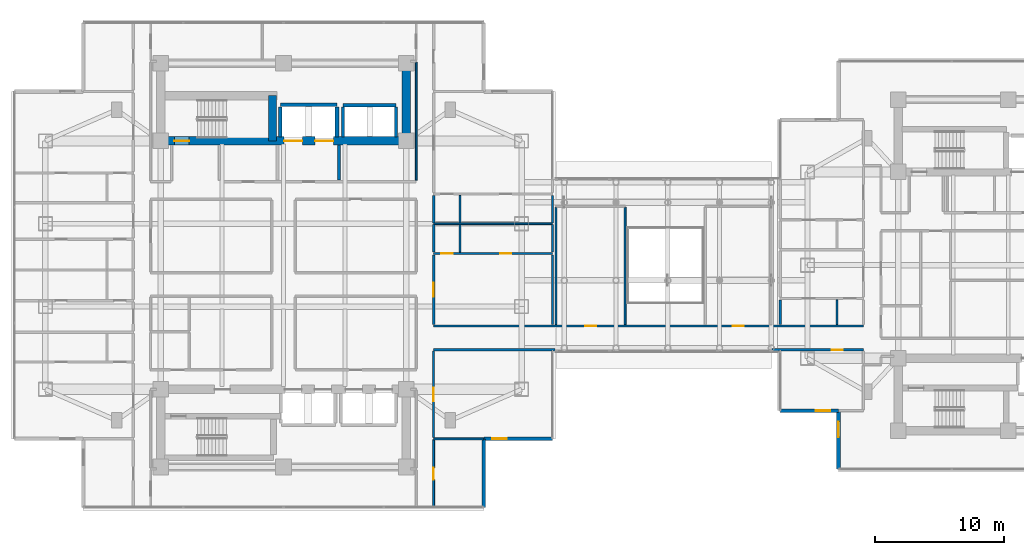
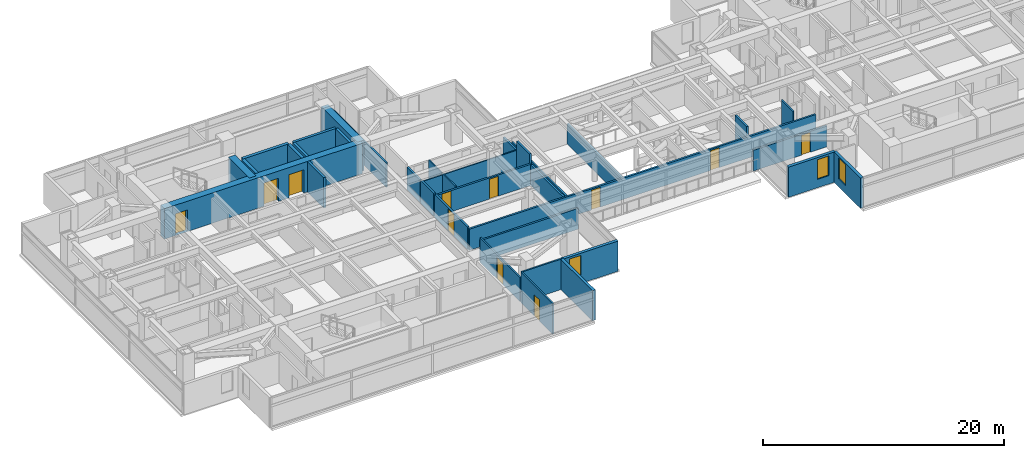
# One storey, part 17 of 27: 35 walls, 11 doors, 3 windows, 14 openings.
"""IFC4 building model written with IfcOpenShell, lengths in metres."""

from ifc_helpers import new_model, si_unit, direction, frame, frame_2d, origin, place, context, subcontext, project, spatial, rectangle, extrude, material, layer, layer_set, type_object, element, fill, save


model = new_model("IFC4")

# Units and contexts
model_context = context("Model", 3, precision=1e-05, world=origin(), true_north=direction((0.0, 1.0)))
body_context = subcontext(model_context, "Body", "Model", "MODEL_VIEW")
ifc_project = project(units=[si_unit("LENGTHUNIT", "METRE"), si_unit("AREAUNIT", "SQUARE_METRE"), si_unit("VOLUMEUNIT", "CUBIC_METRE"), si_unit("PLANEANGLEUNIT", "RADIAN"), si_unit("MASSUNIT", "GRAM", prefix="KILO")], contexts=[model_context])

# Site, building, storey
site_placement = place(None, origin())
site = spatial("IfcSite", under=ifc_project, at=site_placement, CompositionType="ELEMENT")
building_placement = place(site_placement, origin())
building = spatial("IfcBuilding", under=site, at=building_placement, Name="Mirazonda Arch Towers", CompositionType="ELEMENT")
storey_placement = place(building_placement, frame((0.0, 0.0, 95.0)))
storey = spatial("IfcBuildingStorey", under=building, at=storey_placement, Name="L26", CompositionType="ELEMENT", Elevation=95.0)

# Wall
ifc_material_1 = material(Name="Concrete C60/75", Category="concrete")
ifc_layer_1 = layer(ifc_material_1, 0.64990234375, Name="WALL-CORE-650")
ifc_layer_set_1 = layer_set([ifc_layer_1], Name="Concrete C60/75")
wall_type_1 = type_object("IfcWallType", Name="WALL-CORE-650", PredefinedType="SHEAR", material=ifc_layer_set_1)
wall_1_placement = place(storey_placement, frame((30.0, 37.60009765625, 0.0), z_axis=(0.0, 0.0, 1.0), x_axis=(0.0, 1.0, 0.0)))
element("IfcWall", 1, at=wall_1_placement, inside=storey, type_object=wall_type_1, Name="L26 T1N-E Core Shear Wall", PredefinedType="SHEAR", context=body_context, shape_type="SweptSolid", body=[
    extrude(rectangle(XDim=6.0, YDim=0.64990234375, at=frame_2d((3.0, 0.0))), origin(), (0.0, 0.0, 1.0), 3.080078125),
])

# Wall, openings, doors
wall_2_placement = place(storey_placement, frame((11.0, 37.60009765625, 0.0), z_axis=(0.0, 0.0, 1.0), x_axis=(1.0, 0.0, 0.0)))
wall_2 = element("IfcWall", 2, at=wall_2_placement, inside=storey, type_object=wall_type_1, Name="L26 T1N-S Core Shear Wall", PredefinedType="SHEAR", context=body_context, shape_type="SweptSolid", body=[
    extrude(rectangle(XDim=19.0, YDim=0.64990234375, at=frame_2d((9.5, 0.0))), origin(), (0.0, 0.0, 1.0), 3.080078125),
])
opening_1_placement = place(wall_2_placement, frame((1.06005859375, 0.0, 0.0)))
opening_1 = element("IfcOpeningElement", 3, at=opening_1_placement, cuts=wall_2, Name="Opening DR-135", PredefinedType="OPENING", context=body_context, shape_type="SweptSolid", body=[
    extrude(rectangle(XDim=1.14990234375, YDim=2.199951171875, at=frame_2d((0.574951171875, 1.10009765625))), frame((0.0, 0.3349609375, 0.0), z_axis=(0.0, -1.0, 0.0), x_axis=(1.0, 0.0, 0.0)), (0.0, 0.0, 1.0), 0.669921875),
])
opening_2_placement = place(wall_2_placement, frame((9.550048828125, 0.0, 0.0)))
opening_2 = element("IfcOpeningElement", 4, at=opening_2_placement, cuts=wall_2, Name="Opening LD-112", PredefinedType="OPENING", context=body_context, shape_type="SweptSolid", body=[
    extrude(rectangle(XDim=1.39990234375, YDim=2.35009765625, at=frame_2d((0.699951171875, 1.175048828125))), frame((0.0, 0.3349609375, 0.0), z_axis=(0.0, -1.0, 0.0), x_axis=(1.0, 0.0, 0.0)), (0.0, 0.0, 1.0), 0.669921875),
])
opening_3_placement = place(wall_2_placement, frame((11.949951171875, 0.0, 0.0)))
opening_3 = element("IfcOpeningElement", 5, at=opening_3_placement, cuts=wall_2, Name="Opening LD-112", PredefinedType="OPENING", context=body_context, shape_type="SweptSolid", body=[
    extrude(rectangle(XDim=1.39990234375, YDim=2.35009765625, at=frame_2d((0.699951171875, 1.175048828125))), frame((0.0, 0.3349609375, 0.0), z_axis=(0.0, -1.0, 0.0), x_axis=(1.0, 0.0, 0.0)), (0.0, 0.0, 1.0), 0.669921875),
])
ifc_material_2 = material(Name="Architectural Brushed Steel S355", Category="steel")
door_type_1 = type_object("IfcDoorType", Name="DOOR-LIFT-FFL-1400", OperationType="NOTDEFINED", PredefinedType="DOOR", material=ifc_material_2)
door_1_placement = place(opening_2_placement, origin())
door_1 = element("IfcDoor", 6, at=door_1_placement, inside=storey, type_object=door_type_1, Name="L26 Lift Landing Sliding Door FFL-T1", OperationType="DOUBLE_DOOR_SLIDING", OverallHeight=2.35009765625, OverallWidth=1.39990234375, PredefinedType="DOOR", context=body_context, shape_type="SweptSolid", body=[
    extrude(rectangle(XDim=1.39990234375, YDim=2.35009765625, at=frame_2d((0.699951171875, 1.175048828125))), frame((0.0, 0.02490234375, 0.0), z_axis=(0.0, -1.0, 0.0), x_axis=(1.0, 0.0, 0.0)), (0.0, 0.0, 1.0), 0.050048828125),
])
fill(opening_2, door_1)
door_2_placement = place(opening_3_placement, origin())
door_2 = element("IfcDoor", 7, at=door_2_placement, inside=storey, type_object=door_type_1, Name="L26 Lift Landing Sliding Door SVL-T1", OperationType="DOUBLE_DOOR_SLIDING", OverallHeight=2.35009765625, OverallWidth=1.39990234375, PredefinedType="DOOR", context=body_context, shape_type="SweptSolid", body=[
    extrude(rectangle(XDim=1.39990234375, YDim=2.35009765625, at=frame_2d((0.699951171875, 1.175048828125))), frame((0.0, 0.02490234375, 0.0), z_axis=(0.0, -1.0, 0.0), x_axis=(1.0, 0.0, 0.0)), (0.0, 0.0, 1.0), 0.050048828125),
])
fill(opening_3, door_2)
door_type_2 = type_object("IfcDoorType", Name="DOOR-STAIR-FD90-1150", OperationType="NOTDEFINED", PredefinedType="DOOR", material=ifc_material_2)
door_3_placement = place(opening_1_placement, origin())
door_3 = element("IfcDoor", 8, at=door_3_placement, inside=storey, type_object=door_type_2, Name="L26 Protected Exit Stair North Door", OperationType="SINGLE_SWING_LEFT", OverallHeight=2.199951171875, OverallWidth=1.14990234375, PredefinedType="DOOR", context=body_context, shape_type="SweptSolid", body=[
    extrude(rectangle(XDim=1.14990234375, YDim=2.199951171875, at=frame_2d((0.574951171875, 1.10009765625))), frame((0.0, 0.02490234375, 0.0), z_axis=(0.0, -1.0, 0.0), x_axis=(1.0, 0.0, 0.0)), (0.0, 0.0, 1.0), 0.050048828125),
])
fill(opening_1, door_3)

# Wall
wall_3_placement = place(storey_placement, frame((19.64990234375, 37.60009765625, 0.0), z_axis=(0.0, 0.0, 1.0), x_axis=(0.0, 1.0, 0.0)))
element("IfcWall", 9, at=wall_3_placement, inside=storey, type_object=wall_type_1, Name="L26 T1N-STE Core Shear Wall", PredefinedType="SHEAR", context=body_context, shape_type="SweptSolid", body=[
    extrude(rectangle(XDim=3.492919921875, YDim=0.64990234375, at=frame_2d((1.74658203125, 0.0))), origin(), (0.0, 0.0, 1.0), 3.080078125),
])

# Wall, opening, window
ifc_material_3 = material(Name="Precast Concrete C40/50", Category="concrete")
ifc_layer_2 = layer(ifc_material_3, 0.280029296875, Name="WALL-EXT-WALL-280")
ifc_layer_set_2 = layer_set([ifc_layer_2], Name="Precast Concrete C40/50")
wall_type_2 = type_object("IfcWallType", Name="WALL-EXT-WALL-280", PredefinedType="SOLIDWALL", material=ifc_layer_set_2)
wall_4_placement = place(storey_placement, frame((35.985107421875, 14.5791015625, 0.0), z_axis=(0.0, 0.0, 1.0), x_axis=(1.0, 0.0, 0.0)))
wall_4 = element("IfcWall", 10, at=wall_4_placement, inside=storey, type_object=wall_type_2, Name="L26 T1 Corner Notch Return Wall WL-L26-T1-CSE1", PredefinedType="SOLIDWALL", context=body_context, shape_type="SweptSolid", body=[
    extrude(rectangle(XDim=5.304931640625, YDim=0.280029296875, at=frame_2d((2.65234375, 0.0))), origin(), (0.0, 0.0, 1.0), 3.06005859375),
])
opening_4_placement = place(wall_4_placement, frame((0.64990234375, 0.0, 0.85009765625)))
opening_4 = element("IfcOpeningElement", 11, at=opening_4_placement, cuts=wall_4, Name="Opening WN-108", PredefinedType="OPENING", context=body_context, shape_type="SweptSolid", body=[
    extrude(rectangle(XDim=1.10009765625, YDim=2.0, at=frame_2d((0.550048828125, 1.0))), frame((0.0, 0.14990234375, 0.0), z_axis=(0.0, -1.0, 0.0), x_axis=(1.0, 0.0, 0.0)), (0.0, 0.0, 1.0), 0.300048828125),
])
ifc_material_4 = material(Name="Insulated Low-E Solar Glass", Category="glass")
window_type_1 = type_object("IfcWindowType", Name="WIN-NOTCH-1100x2000", PartitioningType="SINGLE_PANEL", PredefinedType="WINDOW", material=ifc_material_4)
window_1_placement = place(opening_4_placement, origin())
window_1 = element("IfcWindow", 12, at=window_1_placement, inside=storey, type_object=window_type_1, Name="L26 Punched Facade Window WN-L26-T1-CSE1", OverallHeight=2.0, OverallWidth=1.10009765625, PartitioningType="SINGLE_PANEL", PredefinedType="WINDOW", context=body_context, shape_type="SweptSolid", body=[
    extrude(rectangle(XDim=1.10009765625, YDim=2.0, at=frame_2d((0.550048828125, 1.0))), frame((0.0, 0.030029296875, 0.0), z_axis=(0.0, -1.0, 0.0), x_axis=(1.0, 0.0, 0.0)), (0.0, 0.0, 1.0), 0.06005859375),
])
fill(opening_4, window_1)

# Wall
wall_5_placement = place(storey_placement, frame((35.985107421875, 9.27392578125, 0.0), z_axis=(0.0, 0.0, 1.0), x_axis=(0.0, 1.0, 0.0)))
element("IfcWall", 13, at=wall_5_placement, inside=storey, type_object=wall_type_2, Name="L26 T1 Corner Notch Return Wall WL-L26-T1-CSE2", PredefinedType="SOLIDWALL", context=body_context, shape_type="SweptSolid", body=[
    extrude(rectangle(XDim=5.30517578125, YDim=0.280029296875, at=frame_2d((2.652587890625, 0.0))), origin(), (0.0, 0.0, 1.0), 3.06005859375),
])

# Wall, opening, window
wall_6_placement = place(storey_placement, frame((63.397705078125, 16.752197265625, 0.0), z_axis=(0.0, 0.0, 1.0), x_axis=(0.0, -1.0, 0.0)))
wall_6 = element("IfcWall", 14, at=wall_6_placement, inside=storey, type_object=wall_type_2, Name="L26 T2 Notched SW Corner Wall WL-L26-T2-CSW", PredefinedType="SOLIDWALL", context=body_context, shape_type="SweptSolid", body=[
    extrude(rectangle(XDim=4.516357421875, YDim=0.280029296875, at=frame_2d((2.25830078125, 0.0))), origin(), (0.0, 0.0, 1.0), 3.06005859375),
])
opening_5_placement = place(wall_6_placement, frame((0.85009765625, 0.0, 0.81005859375)))
opening_5 = element("IfcOpeningElement", 15, at=opening_5_placement, cuts=wall_6, Name="Opening WN-122", PredefinedType="OPENING", context=body_context, shape_type="SweptSolid", body=[
    extrude(rectangle(XDim=1.199951171875, YDim=2.10009765625, at=frame_2d((0.60009765625, 1.050048828125))), frame((0.0, 0.14990234375, 0.0), z_axis=(0.0, -1.0, 0.0), x_axis=(1.0, 0.0, 0.0)), (0.0, 0.0, 1.0), 0.300048828125),
])
window_type_2 = type_object("IfcWindowType", Name="WIN-HTL-1200x2100", PartitioningType="SINGLE_PANEL", PredefinedType="WINDOW", material=ifc_material_4)
window_2_placement = place(opening_5_placement, origin())
window_2 = element("IfcWindow", 16, at=window_2_placement, inside=storey, type_object=window_type_2, Name="L26 Punched Facade Window WN-L26-T2-CSW", OverallHeight=2.10009765625, OverallWidth=1.199951171875, PartitioningType="SINGLE_PANEL", PredefinedType="WINDOW", context=body_context, shape_type="SweptSolid", body=[
    extrude(rectangle(XDim=1.199951171875, YDim=2.10009765625, at=frame_2d((0.60009765625, 1.050048828125))), frame((0.0, 0.030029296875, 0.0), z_axis=(0.0, -1.0, 0.0), x_axis=(1.0, 0.0, 0.0)), (0.0, 0.0, 1.0), 0.06005859375),
])
fill(opening_5, window_2)

wall_7_placement = place(storey_placement, frame((58.881591796875, 16.752197265625, 0.0), z_axis=(0.0, 0.0, 1.0), x_axis=(1.0, 0.0, 0.0)))
wall_7 = element("IfcWall", 17, at=wall_7_placement, inside=storey, type_object=wall_type_2, Name="L26 T2 Corner Notch Return Wall WL-L26-T2-CSW2", PredefinedType="SOLIDWALL", context=body_context, shape_type="SweptSolid", body=[
    extrude(rectangle(XDim=4.51611328125, YDim=0.280029296875, at=frame_2d((2.258056640625, 0.0))), origin(), (0.0, 0.0, 1.0), 3.06005859375),
])
opening_6_placement = place(wall_7_placement, frame((2.76611328125, 0.0, 0.85009765625)))
opening_6 = element("IfcOpeningElement", 18, at=opening_6_placement, cuts=wall_7, Name="Opening WN-108", PredefinedType="OPENING", context=body_context, shape_type="SweptSolid", body=[
    extrude(rectangle(XDim=1.10009765625, YDim=2.0, at=frame_2d((0.550048828125, 1.0))), frame((0.0, 0.14990234375, 0.0), z_axis=(0.0, -1.0, 0.0), x_axis=(1.0, 0.0, 0.0)), (0.0, 0.0, 1.0), 0.300048828125),
])
window_3_placement = place(opening_6_placement, origin())
window_3 = element("IfcWindow", 19, at=window_3_placement, inside=storey, type_object=window_type_1, Name="L26 Punched Facade Window WN-L26-T2-CSW2", OverallHeight=2.0, OverallWidth=1.10009765625, PartitioningType="SINGLE_PANEL", PredefinedType="WINDOW", context=body_context, shape_type="SweptSolid", body=[
    extrude(rectangle(XDim=1.10009765625, YDim=2.0, at=frame_2d((0.550048828125, 1.0))), frame((0.0, 0.030029296875, 0.0), z_axis=(0.0, -1.0, 0.0), x_axis=(1.0, 0.0, 0.0)), (0.0, 0.0, 1.0), 0.06005859375),
])
fill(opening_6, window_3)

# Walls
ifc_material_5 = material(Name="Concrete C40/50", Category="concrete")
ifc_layer_3 = layer(ifc_material_5, 0.219970703125, Name="WALL-FFL-220")
ifc_layer_set_3 = layer_set([ifc_layer_3], Name="Concrete C40/50")
wall_type_3 = type_object("IfcWallType", Name="WALL-FFL-220", PredefinedType="SOLIDWALL", material=ifc_layer_set_3)
wall_8_placement = place(storey_placement, frame((24.800048828125, 34.570068359375, 0.0), z_axis=(0.0, 0.0, 1.0), x_axis=(0.0, 1.0, 0.0)))
element("IfcWall", 20, at=wall_8_placement, inside=storey, type_object=wall_type_3, Name="L26 Interior Partition 108", PredefinedType="SOLIDWALL", context=body_context, shape_type="SweptSolid", body=[
    extrude(rectangle(XDim=2.7099609375, YDim=0.219970703125, at=frame_2d((1.35498046875, 0.0))), origin(), (0.0, 0.0, 1.0), 3.080078125),
])
ifc_material_6 = material(Name="Fire-Rated Gypsum Stud Partition")
ifc_layer_4 = layer(ifc_material_6, 0.14990234375, Name="WALL-PART-CORR-150")
ifc_layer_set_4 = layer_set([ifc_layer_4], Name="Fire-Rated Gypsum Stud Partition")
wall_type_4 = type_object("IfcWallType", Name="WALL-PART-CORR-150", PredefinedType="PARTITIONING", material=ifc_layer_set_4)
wall_9_placement = place(storey_placement, frame((32.10009765625, 14.5791015625, 0.0), z_axis=(0.0, 0.0, 1.0), x_axis=(1.0, 0.0, 0.0)))
element("IfcWall", 21, at=wall_9_placement, inside=storey, type_object=wall_type_4, Name="L26 Interior Partition 005", PredefinedType="PARTITIONING", context=body_context, shape_type="SweptSolid", body=[
    extrude(rectangle(XDim=3.864990234375, YDim=0.14990234375, at=frame_2d((1.9326171875, 0.0))), origin(), (0.0, 0.0, 1.0), 3.080078125),
])
wall_10_placement = place(storey_placement, frame((30.760009765625, 34.570068359375, 0.0), z_axis=(0.0, 0.0, 1.0), x_axis=(0.0, 1.0, 0.0)))
element("IfcWall", 22, at=wall_10_placement, inside=storey, type_object=wall_type_4, Name="L26 Interior Partition 116", PredefinedType="PARTITIONING", context=body_context, shape_type="SweptSolid", body=[
    extrude(rectangle(XDim=9.094970703125, YDim=0.14990234375, at=frame_2d((4.54736328125, 0.0))), origin(), (0.0, 0.0, 1.0), 2.4560546875),
])

# Wall, opening, door
wall_11_placement = place(storey_placement, frame((32.10009765625, 9.27392578125, 0.0), z_axis=(0.0, 0.0, 1.0), x_axis=(0.0, 1.0, 0.0)))
wall_11 = element("IfcWall", 23, at=wall_11_placement, inside=storey, type_object=wall_type_4, Name="L26 Interior Partition 118", PredefinedType="PARTITIONING", context=body_context, shape_type="SweptSolid", body=[
    extrude(rectangle(XDim=5.219970703125, YDim=0.14990234375, at=frame_2d((2.60986328125, 0.0))), origin(), (0.0, 0.0, 1.0), 3.080078125),
])
opening_7_placement = place(wall_11_placement, frame((2.135009765625, 0.0, 0.0)))
opening_7 = element("IfcOpeningElement", 24, at=opening_7_placement, cuts=wall_11, Name="Opening DR-104", PredefinedType="OPENING", context=body_context, shape_type="SweptSolid", body=[
    extrude(rectangle(XDim=0.949951171875, YDim=2.14990234375, at=frame_2d((0.47509765625, 1.074951171875))), frame((0.0, 0.0849609375, 0.0), z_axis=(0.0, -1.0, 0.0), x_axis=(1.0, 0.0, 0.0)), (0.0, 0.0, 1.0), 0.169921875),
])
door_type_3 = type_object("IfcDoorType", Name="DOOR-ROOM-950", OperationType="NOTDEFINED", PredefinedType="DOOR", material=ifc_material_2)
door_4_placement = place(opening_7_placement, origin())
door_4 = element("IfcDoor", 25, at=door_4_placement, inside=storey, type_object=door_type_3, Name="L26 South Horizon Lounge Alcove East Door", OperationType="SINGLE_SWING_LEFT", OverallHeight=2.14990234375, OverallWidth=0.949951171875, PredefinedType="DOOR", context=body_context, shape_type="SweptSolid", body=[
    extrude(rectangle(XDim=0.949951171875, YDim=2.14990234375, at=frame_2d((0.47509765625, 1.074951171875))), frame((0.0, 0.02490234375, 0.0), z_axis=(0.0, -1.0, 0.0), x_axis=(1.0, 0.0, 0.0)), (0.0, 0.0, 1.0), 0.050048828125),
])
fill(opening_7, door_4)

wall_12_placement = place(storey_placement, frame((32.10009765625, 14.6640625, 0.0), z_axis=(0.0, 0.0, 1.0), x_axis=(0.0, 1.0, 0.0)))
wall_12 = element("IfcWall", 26, at=wall_12_placement, inside=storey, type_object=wall_type_4, Name="L26 Interior Partition 119", PredefinedType="PARTITIONING", context=body_context, shape_type="SweptSolid", body=[
    extrude(rectangle(XDim=6.68603515625, YDim=0.14990234375, at=frame_2d((3.343017578125, 0.0))), origin(), (0.0, 0.0, 1.0), 2.4560546875),
])
opening_8_placement = place(wall_12_placement, frame((2.818115234375, 0.0, 0.0)))
opening_8 = element("IfcOpeningElement", 27, at=opening_8_placement, cuts=wall_12, Name="Opening DR-121", PredefinedType="OPENING", context=body_context, shape_type="SweptSolid", body=[
    extrude(rectangle(XDim=1.050048828125, YDim=2.199951171875, at=frame_2d((0.52490234375, 1.10009765625))), frame((0.0, 0.0849609375, 0.0), z_axis=(0.0, -1.0, 0.0), x_axis=(1.0, 0.0, 0.0)), (0.0, 0.0, 1.0), 0.169921875),
])
door_type_4 = type_object("IfcDoorType", Name="DOOR-SUITE-FD60-1050", OperationType="NOTDEFINED", PredefinedType="DOOR", material=ifc_material_2)
door_5_placement = place(opening_8_placement, origin())
door_5 = element("IfcDoor", 28, at=door_5_placement, inside=storey, type_object=door_type_4, Name="L26 L26 South-East Sky-Bridge Club Salon Door", OperationType="SINGLE_SWING_LEFT", OverallHeight=2.199951171875, OverallWidth=1.050048828125, PredefinedType="DOOR", context=body_context, shape_type="SweptSolid", body=[
    extrude(rectangle(XDim=1.050048828125, YDim=2.199951171875, at=frame_2d((0.52490234375, 1.10009765625))), frame((0.0, 0.02490234375, 0.0), z_axis=(0.0, -1.0, 0.0), x_axis=(1.0, 0.0, 0.0)), (0.0, 0.0, 1.0), 0.050048828125),
])
fill(opening_8, door_5)

# Walls
for number, where, z_axis, x_axis, name in (
    (29, (41.56005859375, 23.39990234375, 0.0), (0.0, 0.0, 1.0), (0.0, 1.0, 0.0), "L26 Interior Partition 131"),
    (30, (46.89990234375, 23.39990234375, 0.0), (0.0, 0.0, 1.0), (0.0, 1.0, 0.0), "L26 Interior Partition 132"),
):
    element("IfcWall", number, at=place(storey_placement, frame(where, z_axis=z_axis, x_axis=x_axis)), inside=storey, type_object=wall_type_4, Name=name, PredefinedType="PARTITIONING", context=body_context, shape_type="SweptSolid", body=[
        extrude(rectangle(XDim=9.065185546875, YDim=0.14990234375, at=frame_2d((4.53271484375, 0.0))), origin(), (0.0, 0.0, 1.0), 2.10498046875),
    ])
ifc_material_7 = material(Name="Fire-Rated Gypsum Twin-Stud Assembly")
ifc_layer_5 = layer(ifc_material_7, 0.179931640625, Name="WALL-PART-DEMISE-180")
ifc_layer_set_5 = layer_set([ifc_layer_5], Name="Fire-Rated Gypsum Twin-Stud Assembly")
wall_type_5 = type_object("IfcWallType", Name="WALL-PART-DEMISE-180", PredefinedType="PARTITIONING", material=ifc_layer_set_5)
wall_13_placement = place(storey_placement, frame((32.10009765625, 21.449951171875, 0.0), z_axis=(0.0, 0.0, 1.0), x_axis=(1.0, 0.0, 0.0)))
element("IfcWall", 31, at=wall_13_placement, inside=storey, type_object=wall_type_5, Name="L26 Interior Partition 022", PredefinedType="PARTITIONING", context=body_context, shape_type="SweptSolid", body=[
    extrude(rectangle(XDim=9.39990234375, YDim=0.179931640625, at=frame_2d((4.699951171875, 0.0))), origin(), (0.0, 0.0, 1.0), 2.10498046875),
])

# Wall, opening, door
wall_14_placement = place(storey_placement, frame((58.261474609375, 21.449951171875, 0.0), z_axis=(0.0, 0.0, 1.0), x_axis=(1.0, 0.0, 0.0)))
wall_14 = element("IfcWall", 32, at=wall_14_placement, inside=storey, type_object=wall_type_5, Name="L26 Interior Partition 023", PredefinedType="PARTITIONING", context=body_context, shape_type="SweptSolid", body=[
    extrude(rectangle(XDim=7.05859375, YDim=0.179931640625, at=frame_2d((3.529296875, 0.0))), origin(), (0.0, 0.0, 1.0), 2.10498046875),
])
opening_9_placement = place(wall_14_placement, frame((4.62841796875, 0.0, 0.0)))
opening_9 = element("IfcOpeningElement", 33, at=opening_9_placement, cuts=wall_14, Name="Opening DR-128", PredefinedType="OPENING", context=body_context, shape_type="SweptSolid", body=[
    extrude(rectangle(XDim=0.85009765625, YDim=2.010009765625, at=frame_2d((0.425048828125, 1.0048828125))), frame((0.0, 0.099853515625, 0.0), z_axis=(0.0, -1.0, 0.0), x_axis=(1.0, 0.0, 0.0)), (0.0, 0.0, 1.0), 0.199951171875),
])
door_type_5 = type_object("IfcDoorType", Name="DOOR-RISER-FD60-850", OperationType="NOTDEFINED", PredefinedType="DOOR", material=ifc_material_2)
door_6_placement = place(opening_9_placement, origin())
door_6 = element("IfcDoor", 34, at=door_6_placement, inside=storey, type_object=door_type_5, Name="L26 L26 South-West Sky-Bridge Club Salon Door", OperationType="SINGLE_SWING_RIGHT", OverallHeight=2.010009765625, OverallWidth=0.85009765625, PredefinedType="DOOR", context=body_context, shape_type="SweptSolid", body=[
    extrude(rectangle(XDim=0.85009765625, YDim=2.010009765625, at=frame_2d((0.425048828125, 1.0048828125))), frame((0.0, 0.02490234375, 0.0), z_axis=(0.0, -1.0, 0.0), x_axis=(1.0, 0.0, 0.0)), (0.0, 0.0, 1.0), 0.050048828125),
])
fill(opening_9, door_6)

# Wall, openings, doors
wall_15_placement = place(storey_placement, frame((32.10009765625, 23.300048828125, 0.0), z_axis=(0.0, 0.0, 1.0), x_axis=(1.0, 0.0, 0.0)))
wall_15 = element("IfcWall", 35, at=wall_15_placement, inside=storey, type_object=wall_type_5, Name="L26 Interior Partition 027", PredefinedType="PARTITIONING", context=body_context, shape_type="SweptSolid", body=[
    extrude(rectangle(XDim=33.219970703125, YDim=0.179931640625, at=frame_2d((16.60986328125, 0.0))), origin(), (0.0, 0.0, 1.0), 2.14501953125),
])
opening_10_placement = place(wall_15_placement, frame((11.705078125, 0.0, 0.0)))
opening_10 = element("IfcOpeningElement", 36, at=opening_10_placement, cuts=wall_15, Name="Opening DR-128", PredefinedType="OPENING", context=body_context, shape_type="SweptSolid", body=[
    extrude(rectangle(XDim=0.85009765625, YDim=2.010009765625, at=frame_2d((0.425048828125, 1.0048828125))), frame((0.0, 0.099853515625, 0.0), z_axis=(0.0, -1.0, 0.0), x_axis=(1.0, 0.0, 0.0)), (0.0, 0.0, 1.0), 0.199951171875),
])
opening_11_placement = place(wall_15_placement, frame((23.10546875, 0.0, 0.0)))
opening_11 = element("IfcOpeningElement", 37, at=opening_11_placement, cuts=wall_15, Name="Opening DR-128", PredefinedType="OPENING", context=body_context, shape_type="SweptSolid", body=[
    extrude(rectangle(XDim=0.85009765625, YDim=2.010009765625, at=frame_2d((0.425048828125, 1.0048828125))), frame((0.0, 0.099853515625, 0.0), z_axis=(0.0, -1.0, 0.0), x_axis=(1.0, 0.0, 0.0)), (0.0, 0.0, 1.0), 0.199951171875),
])
door_7_placement = place(opening_10_placement, origin())
door_7 = element("IfcDoor", 38, at=door_7_placement, inside=storey, type_object=door_type_5, Name="L26 L26 Skybridge Horizon Dining Room West Door", OperationType="SINGLE_SWING_LEFT", OverallHeight=2.010009765625, OverallWidth=0.85009765625, PredefinedType="DOOR", context=body_context, shape_type="SweptSolid", body=[
    extrude(rectangle(XDim=0.85009765625, YDim=2.010009765625, at=frame_2d((0.425048828125, 1.0048828125))), frame((0.0, 0.02490234375, 0.0), z_axis=(0.0, -1.0, 0.0), x_axis=(1.0, 0.0, 0.0)), (0.0, 0.0, 1.0), 0.050048828125),
])
fill(opening_10, door_7)
door_8_placement = place(opening_11_placement, origin())
door_8 = element("IfcDoor", 39, at=door_8_placement, inside=storey, type_object=door_type_5, Name="L26 L26 Skybridge Sommelier Wine Bar East Door", OperationType="SINGLE_SWING_RIGHT", OverallHeight=2.010009765625, OverallWidth=0.85009765625, PredefinedType="DOOR", context=body_context, shape_type="SweptSolid", body=[
    extrude(rectangle(XDim=0.85009765625, YDim=2.010009765625, at=frame_2d((0.425048828125, 1.0048828125))), frame((0.0, 0.02490234375, 0.0), z_axis=(0.0, -1.0, 0.0), x_axis=(1.0, 0.0, 0.0)), (0.0, 0.0, 1.0), 0.050048828125),
])
fill(opening_11, door_8)

wall_16_placement = place(storey_placement, frame((32.10009765625, 28.89990234375, 0.0), z_axis=(0.0, 0.0, 1.0), x_axis=(1.0, 0.0, 0.0)))
wall_16 = element("IfcWall", 40, at=wall_16_placement, inside=storey, type_object=wall_type_5, Name="L26 Interior Partition 039", PredefinedType="PARTITIONING", context=body_context, shape_type="SweptSolid", body=[
    extrude(rectangle(XDim=9.18994140625, YDim=0.179931640625, at=frame_2d((4.594970703125, 0.0))), origin(), (0.0, 0.0, 1.0), 2.14501953125),
])
opening_12_placement = place(wall_16_placement, frame((5.169921875, 0.0, 0.0)))
opening_12 = element("IfcOpeningElement", 41, at=opening_12_placement, cuts=wall_16, Name="Opening DR-128", PredefinedType="OPENING", context=body_context, shape_type="SweptSolid", body=[
    extrude(rectangle(XDim=0.85009765625, YDim=2.010009765625, at=frame_2d((0.425048828125, 1.0048828125))), frame((0.0, 0.099853515625, 0.0), z_axis=(0.0, -1.0, 0.0), x_axis=(1.0, 0.0, 0.0)), (0.0, 0.0, 1.0), 0.199951171875),
])
opening_13_placement = place(wall_16_placement, frame((0.590087890625, 0.0, 0.0)))
opening_13 = element("IfcOpeningElement", 42, at=opening_13_placement, cuts=wall_16, Name="Opening DR-120", PredefinedType="OPENING", context=body_context, shape_type="SweptSolid", body=[
    extrude(rectangle(XDim=0.89990234375, YDim=2.10009765625, at=frame_2d((0.449951171875, 1.050048828125))), frame((0.0, 0.099853515625, 0.0), z_axis=(0.0, -1.0, 0.0), x_axis=(1.0, 0.0, 0.0)), (0.0, 0.0, 1.0), 0.199951171875),
])
door_9_placement = place(opening_12_placement, origin())
door_9 = element("IfcDoor", 43, at=door_9_placement, inside=storey, type_object=door_type_5, Name="L26 Suite Bedroom 1 Door", OperationType="SINGLE_SWING_RIGHT", OverallHeight=2.010009765625, OverallWidth=0.85009765625, PredefinedType="DOOR", context=body_context, shape_type="SweptSolid", body=[
    extrude(rectangle(XDim=0.85009765625, YDim=2.010009765625, at=frame_2d((0.425048828125, 1.0048828125))), frame((0.0, 0.02490234375, 0.0), z_axis=(0.0, -1.0, 0.0), x_axis=(1.0, 0.0, 0.0)), (0.0, 0.0, 1.0), 0.050048828125),
])
fill(opening_12, door_9)
door_type_6 = type_object("IfcDoorType", Name="DOOR-WC-900", OperationType="NOTDEFINED", PredefinedType="DOOR", material=ifc_material_2)
door_10_placement = place(opening_13_placement, origin())
door_10 = element("IfcDoor", 44, at=door_10_placement, inside=storey, type_object=door_type_6, Name="L26 Suite En-Suite Bathroom 1 Door", OperationType="SINGLE_SWING_LEFT", OverallHeight=2.10009765625, OverallWidth=0.89990234375, PredefinedType="DOOR", context=body_context, shape_type="SweptSolid", body=[
    extrude(rectangle(XDim=0.89990234375, YDim=2.10009765625, at=frame_2d((0.449951171875, 1.050048828125))), frame((0.0, 0.02490234375, 0.0), z_axis=(0.0, -1.0, 0.0), x_axis=(1.0, 0.0, 0.0)), (0.0, 0.0, 1.0), 0.050048828125),
])
fill(opening_13, door_10)

# Wall, opening, door
wall_17_placement = place(storey_placement, frame((32.10009765625, 23.39990234375, 0.0), z_axis=(0.0, 0.0, 1.0), x_axis=(0.0, 1.0, 0.0)))
wall_17 = element("IfcWall", 45, at=wall_17_placement, inside=storey, type_object=wall_type_5, Name="L26 Interior Partition 120", PredefinedType="PARTITIONING", context=body_context, shape_type="SweptSolid", body=[
    extrude(rectangle(XDim=5.400146484375, YDim=0.179931640625, at=frame_2d((2.7001953125, 0.0))), origin(), (0.0, 0.0, 1.0), 2.299072265625),
])
opening_14_placement = place(wall_17_placement, frame((2.175048828125, 0.0, 0.0)))
opening_14 = element("IfcOpeningElement", 46, at=opening_14_placement, cuts=wall_17, Name="Opening DR-121", PredefinedType="OPENING", context=body_context, shape_type="SweptSolid", body=[
    extrude(rectangle(XDim=1.050048828125, YDim=2.199951171875, at=frame_2d((0.52490234375, 1.10009765625))), frame((0.0, 0.099853515625, 0.0), z_axis=(0.0, -1.0, 0.0), x_axis=(1.0, 0.0, 0.0)), (0.0, 0.0, 1.0), 0.199951171875),
])
door_11_placement = place(opening_14_placement, origin())
door_11 = element("IfcDoor", 47, at=door_11_placement, inside=storey, type_object=door_type_4, Name="L26 Panoramic Suite Salon 1 Door", OperationType="SINGLE_SWING_LEFT", OverallHeight=2.199951171875, OverallWidth=1.050048828125, PredefinedType="DOOR", context=body_context, shape_type="SweptSolid", body=[
    extrude(rectangle(XDim=1.050048828125, YDim=2.199951171875, at=frame_2d((0.52490234375, 1.10009765625))), frame((0.0, 0.02490234375, 0.0), z_axis=(0.0, -1.0, 0.0), x_axis=(1.0, 0.0, 0.0)), (0.0, 0.0, 1.0), 0.050048828125),
])
fill(opening_14, door_11)

# Walls
for number, where, z_axis, x_axis, name in (
    (48, (32.10009765625, 29.0, 0.0), (0.0, 0.0, 1.0), (0.0, 1.0, 0.0), "L26 Interior Partition 121"),
    (49, (32.10009765625, 31.2724609375, 0.0), (0.0, 0.0, 1.0), (0.0, 1.0, 0.0), "L26 Interior Partition 122"),
):
    element("IfcWall", number, at=place(storey_placement, frame(where, z_axis=z_axis, x_axis=x_axis)), inside=storey, type_object=wall_type_5, Name=name, PredefinedType="PARTITIONING", context=body_context, shape_type="SweptSolid", body=[
        extrude(rectangle(XDim=2.12744140625, YDim=0.179931640625, at=frame_2d((1.063720703125, 0.0))), origin(), (0.0, 0.0, 1.0), 2.299072265625),
    ])
wall_18_placement = place(storey_placement, frame((41.2900390625, 23.39990234375, 0.0), z_axis=(0.0, 0.0, 1.0), x_axis=(0.0, 1.0, 0.0)))
element("IfcWall", 50, at=wall_18_placement, inside=storey, type_object=wall_type_5, Name="L26 Interior Partition 127", PredefinedType="PARTITIONING", context=body_context, shape_type="SweptSolid", body=[
    extrude(rectangle(XDim=5.400146484375, YDim=0.179931640625, at=frame_2d((2.7001953125, 0.0))), origin(), (0.0, 0.0, 1.0), 2.10498046875),
])
wall_19_placement = place(storey_placement, frame((41.2900390625, 29.0, 0.0), z_axis=(0.0, 0.0, 1.0), x_axis=(0.0, 1.0, 0.0)))
element("IfcWall", 51, at=wall_19_placement, inside=storey, type_object=wall_type_5, Name="L26 Interior Partition 128", PredefinedType="PARTITIONING", context=body_context, shape_type="SweptSolid", body=[
    extrude(rectangle(XDim=2.12744140625, YDim=0.179931640625, at=frame_2d((1.063720703125, 0.0))), origin(), (0.0, 0.0, 1.0), 3.080078125),
])
wall_20_placement = place(storey_placement, frame((41.2900390625, 31.2724609375, 0.0), z_axis=(0.0, 0.0, 1.0), x_axis=(0.0, 1.0, 0.0)))
element("IfcWall", 52, at=wall_20_placement, inside=storey, type_object=wall_type_5, Name="L26 Interior Partition 129", PredefinedType="PARTITIONING", context=body_context, shape_type="SweptSolid", body=[
    extrude(rectangle(XDim=2.12744140625, YDim=0.179931640625, at=frame_2d((1.063720703125, 0.0))), origin(), (0.0, 0.0, 1.0), 2.10498046875),
])
wall_21_placement = place(storey_placement, frame((58.881103515625, 23.39990234375, 0.0), z_axis=(0.0, 0.0, 1.0), x_axis=(0.0, 1.0, 0.0)))
element("IfcWall", 53, at=wall_21_placement, inside=storey, type_object=wall_type_5, Name="L26 Interior Partition 135", PredefinedType="PARTITIONING", context=body_context, shape_type="SweptSolid", body=[
    extrude(rectangle(XDim=1.924072265625, YDim=0.179931640625, at=frame_2d((0.9619140625, 0.0))), origin(), (0.0, 0.0, 1.0), 3.080078125),
])
ifc_material_8 = material(Name="Acoustic Fire-Rated Gypsum Partition")
ifc_layer_6 = layer(ifc_material_8, 0.125, Name="WALL-PART-UNIT-125")
ifc_layer_set_6 = layer_set([ifc_layer_6], Name="Acoustic Fire-Rated Gypsum Partition")
wall_type_6 = type_object("IfcWallType", Name="WALL-PART-UNIT-125", PredefinedType="PARTITIONING", material=ifc_layer_set_6)
wall_22_placement = place(storey_placement, frame((32.10009765625, 31.199951171875, 0.0), z_axis=(0.0, 0.0, 1.0), x_axis=(1.0, 0.0, 0.0)))
element("IfcWall", 54, at=wall_22_placement, inside=storey, type_object=wall_type_6, Name="L26 Interior Partition 044", PredefinedType="PARTITIONING", context=body_context, shape_type="SweptSolid", body=[
    extrude(rectangle(XDim=9.18994140625, YDim=0.125, at=frame_2d((4.594970703125, 0.0))), origin(), (0.0, 0.0, 1.0), 2.14501953125),
])
for number, where, z_axis, x_axis, name in (
    (55, (34.139892578125, 29.0, 0.0), (0.0, 0.0, 1.0), (0.0, 1.0, 0.0), "L26 Interior Partition 125"),
    (56, (34.139892578125, 31.2724609375, 0.0), (0.0, 0.0, 1.0), (0.0, 1.0, 0.0), "L26 Interior Partition 126"),
):
    element("IfcWall", number, at=place(storey_placement, frame(where, z_axis=z_axis, x_axis=x_axis)), inside=storey, type_object=wall_type_6, Name=name, PredefinedType="PARTITIONING", context=body_context, shape_type="SweptSolid", body=[
        extrude(rectangle(XDim=2.12744140625, YDim=0.125, at=frame_2d((1.063720703125, 0.0))), origin(), (0.0, 0.0, 1.0), 2.299072265625),
    ])
wall_23_placement = place(storey_placement, frame((63.280029296875, 23.39990234375, 0.0), z_axis=(0.0, 0.0, 1.0), x_axis=(0.0, 1.0, 0.0)))
element("IfcWall", 57, at=wall_23_placement, inside=storey, type_object=wall_type_6, Name="L26 Interior Partition 139", PredefinedType="PARTITIONING", context=body_context, shape_type="SweptSolid", body=[
    extrude(rectangle(XDim=1.924072265625, YDim=0.125, at=frame_2d((0.9619140625, 0.0))), origin(), (0.0, 0.0, 1.0), 3.080078125),
])
ifc_layer_7 = layer(ifc_material_5, 0.25, Name="WALL-SHAFT-250")
ifc_layer_set_7 = layer_set([ifc_layer_7], Name="Concrete C40/50")
wall_type_7 = type_object("IfcWallType", Name="WALL-SHAFT-250", PredefinedType="SOLIDWALL", material=ifc_layer_set_7)
wall_24_placement = place(storey_placement, frame((25.10009765625, 40.35009765625, 0.0), z_axis=(0.0, 0.0, 1.0), x_axis=(1.0, 0.0, 0.0)))
element("IfcWall", 58, at=wall_24_placement, inside=storey, type_object=wall_type_7, Name="L26 Interior Partition 064", PredefinedType="SOLIDWALL", context=body_context, shape_type="SweptSolid", body=[
    extrude(rectangle(XDim=4.099853515625, YDim=0.25, at=frame_2d((2.0498046875, 0.0))), origin(), (0.0, 0.0, 1.0), 3.080078125),
])
for number, where, z_axis, x_axis, name in (
    (59, (25.10009765625, 37.919921875, 0.0), (0.0, 0.0, 1.0), (0.0, 1.0, 0.0), "L26 Interior Partition 109"),
    (60, (29.199951171875, 37.919921875, 0.0), (0.0, 0.0, 1.0), (0.0, 1.0, 0.0), "L26 Interior Partition 111"),
):
    element("IfcWall", number, at=place(storey_placement, frame(where, z_axis=z_axis, x_axis=x_axis)), inside=storey, type_object=wall_type_7, Name=name, PredefinedType="SOLIDWALL", context=body_context, shape_type="SweptSolid", body=[
        extrude(rectangle(XDim=2.295166015625, YDim=0.25, at=frame_2d((1.1474609375, 0.0))), origin(), (0.0, 0.0, 1.0), 3.080078125),
    ])
ifc_material_9 = material(Name="Concrete C50/60", Category="concrete")
ifc_layer_8 = layer(ifc_material_9, 0.300048828125, Name="WALL-SHAFT-300")
ifc_layer_set_8 = layer_set([ifc_layer_8], Name="Concrete C50/60")
wall_type_8 = type_object("IfcWallType", Name="WALL-SHAFT-300", PredefinedType="SOLIDWALL", material=ifc_layer_set_8)
wall_25_placement = place(storey_placement, frame((20.25, 40.39990234375, 0.0), z_axis=(0.0, 0.0, 1.0), x_axis=(1.0, 0.0, 0.0)))
element("IfcWall", 61, at=wall_25_placement, inside=storey, type_object=wall_type_8, Name="L26 Interior Partition 065", PredefinedType="SOLIDWALL", context=body_context, shape_type="SweptSolid", body=[
    extrude(rectangle(XDim=4.39990234375, YDim=0.300048828125, at=frame_2d((2.199951171875, 0.0))), origin(), (0.0, 0.0, 1.0), 3.080078125),
])
for number, where, z_axis, x_axis, name in (
    (62, (20.25, 37.919921875, 0.0), (0.0, 0.0, 1.0), (0.0, 1.0, 0.0), "L26 Interior Partition 102"),
    (63, (24.64990234375, 37.919921875, 0.0), (0.0, 0.0, 1.0), (0.0, 1.0, 0.0), "L26 Interior Partition 106"),
):
    element("IfcWall", number, at=place(storey_placement, frame(where, z_axis=z_axis, x_axis=x_axis)), inside=storey, type_object=wall_type_8, Name=name, PredefinedType="SOLIDWALL", context=body_context, shape_type="SweptSolid", body=[
        extrude(rectangle(XDim=2.320068359375, YDim=0.300048828125, at=frame_2d((1.16015625, 0.0))), origin(), (0.0, 0.0, 1.0), 3.080078125),
    ])

save(model, "model.ifc")
